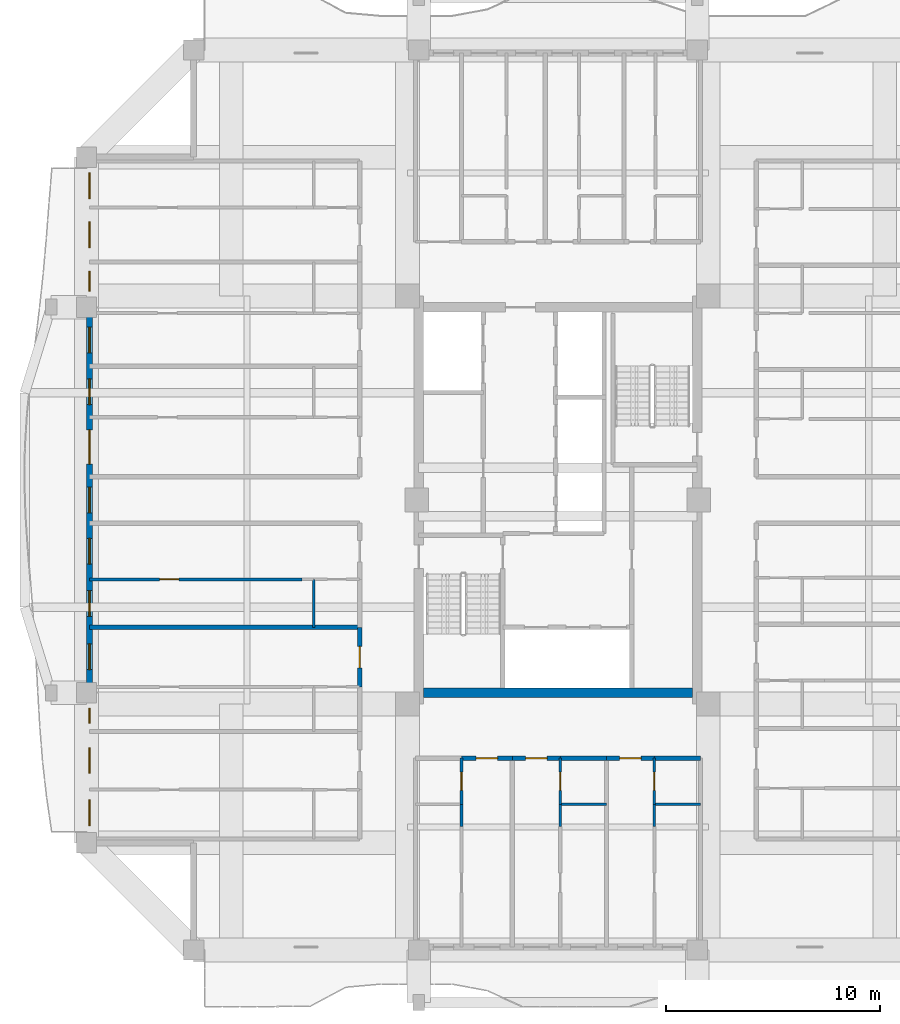
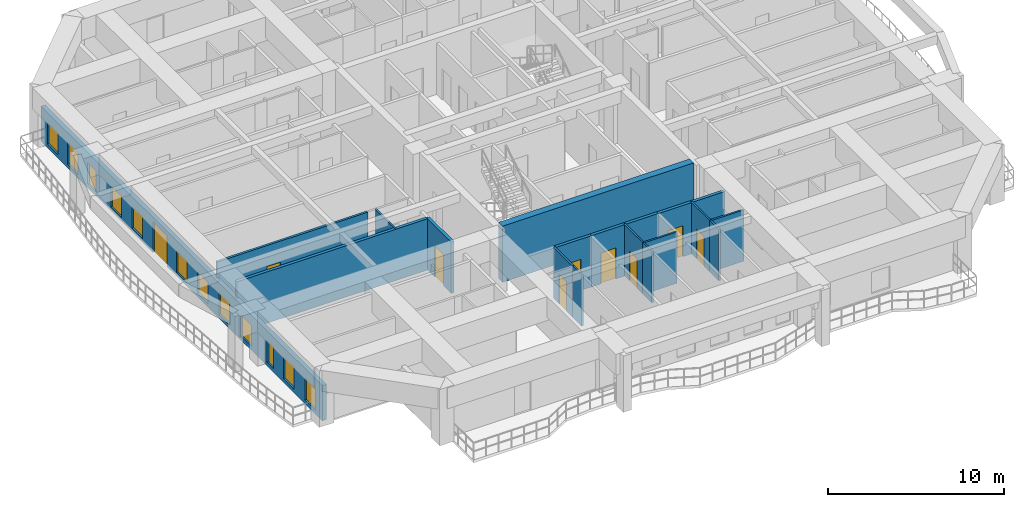
# One storey, part 3 of 15: 19 walls, 12 windows, 9 doors, 21 openings.
"""IFC4 building model written with IfcOpenShell, lengths in metres."""

from ifc_helpers import new_model, si_unit, direction, frame, frame_2d, origin, place, context, subcontext, project, spatial, rectangle, extrude, source, transform, mapped, material, layer, layer_set, type_object, element, fill, save


model = new_model("IFC4")

# Units and contexts
model_context = context("Model", 3, precision=1e-05, world=origin(), true_north=direction((0.0, 1.0)))
body_context = subcontext(model_context, "Body", "Model", "MODEL_VIEW")
ifc_project = project(units=[si_unit("LENGTHUNIT", "METRE"), si_unit("AREAUNIT", "SQUARE_METRE"), si_unit("VOLUMEUNIT", "CUBIC_METRE"), si_unit("PLANEANGLEUNIT", "RADIAN"), si_unit("MASSUNIT", "GRAM", prefix="KILO")], contexts=[model_context])

# Site, building, storey
site_placement = place(None, origin())
site = spatial("IfcSite", under=ifc_project, at=site_placement, CompositionType="ELEMENT")
building_placement = place(site_placement, origin())
building = spatial("IfcBuilding", under=site, at=building_placement, Name="Saelheon Loggia Tower", CompositionType="ELEMENT")
storey_placement = place(building_placement, frame((0.0, 0.0, 169.0)))
storey = spatial("IfcBuildingStorey", under=building, at=storey_placement, Name="L53", CompositionType="ELEMENT", Elevation=169.0)

# Wall
ifc_material_1 = material(Name="Concrete C45/55", Category="concrete")
ifc_layer_1 = layer(ifc_material_1, 0.449951171875)
ifc_layer_set_1 = layer_set([ifc_layer_1], Name="Concrete C45/55")
wall_type_1 = type_object("IfcWallType", Name="Wall_CoreShear_450", PredefinedType="SHEAR", material=ifc_layer_set_1)
wall_1_placement = place(storey_placement, frame((31.72509765625, 18.0, 0.0), z_axis=(0.0, 0.0, 1.0), x_axis=(1.0, 0.0, 0.0)))
element("IfcWall", 1, at=wall_1_placement, inside=storey, type_object=wall_type_1, Name="L53 Core Shear Wall South", PredefinedType="SHEAR", context=body_context, shape_type="SweptSolid", body=[
    extrude(rectangle(XDim=12.5498046875, YDim=0.449951171875, at=frame_2d((6.27490234375, 0.0))), origin(), (0.0, 0.0, 1.0), 3.89990234375),
])

# Wall, openings, windows, door
ifc_material_2 = material(Name="Architectural Precast Concrete C40/50", Category="concrete")
ifc_layer_2 = layer(ifc_material_2, 0.280029296875)
ifc_layer_set_2 = layer_set([ifc_layer_2], Name="Architectural Precast Concrete C40/50")
wall_type_2 = type_object("IfcWallType", Name="Wall_Ext_Loggia_280", PredefinedType="SOLIDWALL", material=ifc_layer_set_2)
wall_2_placement = place(storey_placement, frame((16.139892578125, 11.0, 0.0), z_axis=(0.0, 0.0, 1.0), x_axis=(0.0, 1.0, 0.0)))
wall_2 = element("IfcWall", 2, at=wall_2_placement, inside=storey, type_object=wall_type_2, Name="L53 West Loggia Inner Wall", PredefinedType="SOLIDWALL", context=body_context, shape_type="SweptSolid", body=[
    extrude(rectangle(XDim=32.0, YDim=0.280029296875, at=frame_2d((16.0, 0.0))), origin(), (0.0, 0.0, 1.0), 2.43994140625),
])
opening_1_placement = place(wall_2_placement, frame((0.80029296875, 0.0, 0.25)))
opening_1 = element("IfcOpeningElement", 3, at=opening_1_placement, cuts=wall_2, Name="Opening WN-03", PredefinedType="OPENING", context=body_context, shape_type="SweptSolid", body=[
    extrude(rectangle(XDim=1.199951171875, YDim=1.5, at=frame_2d((0.60009765625, 0.75))), frame((0.0, 0.152099609375, 0.0), z_axis=(0.0, -1.0, 0.0), x_axis=(1.0, 0.0, 0.0)), (0.0, 0.0, 1.0), 0.303955078125),
])
opening_2_placement = place(wall_2_placement, frame((3.238525390625, 0.0, 0.25)))
opening_2 = element("IfcOpeningElement", 4, at=opening_2_placement, cuts=wall_2, Name="Opening WN-03", PredefinedType="OPENING", context=body_context, shape_type="SweptSolid", body=[
    extrude(rectangle(XDim=1.199951171875, YDim=1.5, at=frame_2d((0.60009765625, 0.75))), frame((0.0, 0.152099609375, 0.0), z_axis=(0.0, -1.0, 0.0), x_axis=(1.0, 0.0, 0.0)), (0.0, 0.0, 1.0), 0.303955078125),
])
opening_3_placement = place(wall_2_placement, frame((5.58837890625, 0.0, 0.25)))
opening_3 = element("IfcOpeningElement", 5, at=opening_3_placement, cuts=wall_2, Name="Opening WN-06", PredefinedType="OPENING", context=body_context, shape_type="SweptSolid", body=[
    extrude(rectangle(XDim=0.699951171875, YDim=1.5, at=frame_2d((0.35009765625, 0.75))), frame((0.0, 0.152099609375, 0.0), z_axis=(0.0, -1.0, 0.0), x_axis=(1.0, 0.0, 0.0)), (0.0, 0.0, 1.0), 0.303955078125),
])
opening_4_placement = place(wall_2_placement, frame((8.08544921875, 0.0, 0.25)))
opening_4 = element("IfcOpeningElement", 6, at=opening_4_placement, cuts=wall_2, Name="Opening WN-03", PredefinedType="OPENING", context=body_context, shape_type="SweptSolid", body=[
    extrude(rectangle(XDim=1.199951171875, YDim=1.5, at=frame_2d((0.60009765625, 0.75))), frame((0.0, 0.152099609375, 0.0), z_axis=(0.0, -1.0, 0.0), x_axis=(1.0, 0.0, 0.0)), (0.0, 0.0, 1.0), 0.303955078125),
])
opening_5_placement = place(wall_2_placement, frame((10.57470703125, 0.0, 0.25)))
opening_5 = element("IfcOpeningElement", 7, at=opening_5_placement, cuts=wall_2, Name="Opening WN-03", PredefinedType="OPENING", context=body_context, shape_type="SweptSolid", body=[
    extrude(rectangle(XDim=1.199951171875, YDim=1.5, at=frame_2d((0.60009765625, 0.75))), frame((0.0, 0.152099609375, 0.0), z_axis=(0.0, -1.0, 0.0), x_axis=(1.0, 0.0, 0.0)), (0.0, 0.0, 1.0), 0.303955078125),
])
opening_6_placement = place(wall_2_placement, frame((13.006591796875, 0.0, 0.25)))
opening_6 = element("IfcOpeningElement", 8, at=opening_6_placement, cuts=wall_2, Name="Opening WN-03", PredefinedType="OPENING", context=body_context, shape_type="SweptSolid", body=[
    extrude(rectangle(XDim=1.199951171875, YDim=1.5, at=frame_2d((0.60009765625, 0.75))), frame((0.0, 0.152099609375, 0.0), z_axis=(0.0, -1.0, 0.0), x_axis=(1.0, 0.0, 0.0)), (0.0, 0.0, 1.0), 0.303955078125),
])
opening_7_placement = place(wall_2_placement, frame((15.39990234375, 0.0, 0.25)))
opening_7 = element("IfcOpeningElement", 9, at=opening_7_placement, cuts=wall_2, Name="Opening WN-03", PredefinedType="OPENING", context=body_context, shape_type="SweptSolid", body=[
    extrude(rectangle(XDim=1.199951171875, YDim=1.5, at=frame_2d((0.60009765625, 0.75))), frame((0.0, 0.152099609375, 0.0), z_axis=(0.0, -1.0, 0.0), x_axis=(1.0, 0.0, 0.0)), (0.0, 0.0, 1.0), 0.303955078125),
])
opening_8_placement = place(wall_2_placement, frame((17.6728515625, 0.0, 0.0)))
opening_8 = element("IfcOpeningElement", 10, at=opening_8_placement, cuts=wall_2, Name="Opening DLG-1", PredefinedType="OPENING", context=body_context, shape_type="SweptSolid", body=[
    extrude(rectangle(XDim=1.60009765625, YDim=2.14990234375, at=frame_2d((0.800048828125, 1.074951171875))), frame((0.0, 0.152099609375, 0.0), z_axis=(0.0, -1.0, 0.0), x_axis=(1.0, 0.0, 0.0)), (0.0, 0.0, 1.0), 0.303955078125),
])
opening_9_placement = place(wall_2_placement, frame((20.452392578125, 0.0, 0.25)))
opening_9 = element("IfcOpeningElement", 11, at=opening_9_placement, cuts=wall_2, Name="Opening WN-03", PredefinedType="OPENING", context=body_context, shape_type="SweptSolid", body=[
    extrude(rectangle(XDim=1.199951171875, YDim=1.5, at=frame_2d((0.60009765625, 0.75))), frame((0.0, 0.152099609375, 0.0), z_axis=(0.0, -1.0, 0.0), x_axis=(1.0, 0.0, 0.0)), (0.0, 0.0, 1.0), 0.303955078125),
])
opening_10_placement = place(wall_2_placement, frame((22.862060546875, 0.0, 0.25)))
opening_10 = element("IfcOpeningElement", 12, at=opening_10_placement, cuts=wall_2, Name="Opening WN-03", PredefinedType="OPENING", context=body_context, shape_type="SweptSolid", body=[
    extrude(rectangle(XDim=1.199951171875, YDim=1.5, at=frame_2d((0.60009765625, 0.75))), frame((0.0, 0.152099609375, 0.0), z_axis=(0.0, -1.0, 0.0), x_axis=(1.0, 0.0, 0.0)), (0.0, 0.0, 1.0), 0.303955078125),
])
opening_11_placement = place(wall_2_placement, frame((25.734130859375, 0.0, 0.25)))
opening_11 = element("IfcOpeningElement", 13, at=opening_11_placement, cuts=wall_2, Name="Opening WN-04", PredefinedType="OPENING", context=body_context, shape_type="SweptSolid", body=[
    extrude(rectangle(XDim=0.949951171875, YDim=1.5, at=frame_2d((0.47509765625, 0.75))), frame((0.0, 0.152099609375, 0.0), z_axis=(0.0, -1.0, 0.0), x_axis=(1.0, 0.0, 0.0)), (0.0, 0.0, 1.0), 0.303955078125),
])
opening_12_placement = place(wall_2_placement, frame((27.776611328125, 0.0, 0.25)))
opening_12 = element("IfcOpeningElement", 14, at=opening_12_placement, cuts=wall_2, Name="Opening WN-03", PredefinedType="OPENING", context=body_context, shape_type="SweptSolid", body=[
    extrude(rectangle(XDim=1.199951171875, YDim=1.5, at=frame_2d((0.60009765625, 0.75))), frame((0.0, 0.152099609375, 0.0), z_axis=(0.0, -1.0, 0.0), x_axis=(1.0, 0.0, 0.0)), (0.0, 0.0, 1.0), 0.303955078125),
])
opening_13_placement = place(wall_2_placement, frame((30.067626953125, 0.0, 0.25)))
opening_13 = element("IfcOpeningElement", 15, at=opening_13_placement, cuts=wall_2, Name="Opening WN-03", PredefinedType="OPENING", context=body_context, shape_type="SweptSolid", body=[
    extrude(rectangle(XDim=1.199951171875, YDim=1.5, at=frame_2d((0.60009765625, 0.75))), frame((0.0, 0.152099609375, 0.0), z_axis=(0.0, -1.0, 0.0), x_axis=(1.0, 0.0, 0.0)), (0.0, 0.0, 1.0), 0.303955078125),
])
ifc_material_3 = material(Name="Thermal-Break Aluminium and Triple Low-E Glass", Category="aluminium")
window_type_1 = type_object("IfcWindowType", Name="Win_Slot_700x1500", PartitioningType="SINGLE_PANEL", PredefinedType="WINDOW", material=ifc_material_3)
shared_shape_1 = source(origin(), body_context, "Body", "SweptSolid", [
    extrude(rectangle(XDim=0.699951171875, YDim=1.5, at=frame_2d((0.35009765625, 0.75))), frame((0.0, 0.030029296875, 0.0), z_axis=(0.0, -1.0, 0.0), x_axis=(1.0, 0.0, 0.0)), (0.0, 0.0, 1.0), 0.06005859375),
])
window_1_placement = place(opening_3_placement, origin())
window_1 = element("IfcWindow", 16, at=window_1_placement, inside=storey, type_object=window_type_1, Name="L53 W Dwelling Window 3", OverallHeight=1.5, OverallWidth=0.699951171875, PartitioningType="SINGLE_PANEL", PredefinedType="WINDOW", context=body_context, shape_type="MappedRepresentation", body=[
    mapped(shared_shape_1, transform((0.0, 0.0, 0.0), scale=1.0)),
])
fill(opening_3, window_1)
window_type_2 = type_object("IfcWindowType", Name="Win_Bedroom_1200x1500", PartitioningType="SINGLE_PANEL", PredefinedType="WINDOW", material=ifc_material_3)
shared_shape_2 = source(origin(), body_context, "Body", "SweptSolid", [
    extrude(rectangle(XDim=1.199951171875, YDim=1.5, at=frame_2d((0.60009765625, 0.75))), frame((0.0, 0.030029296875, 0.0), z_axis=(0.0, -1.0, 0.0), x_axis=(1.0, 0.0, 0.0)), (0.0, 0.0, 1.0), 0.06005859375),
])
window_2_placement = place(opening_1_placement, origin())
window_2 = element("IfcWindow", 17, at=window_2_placement, inside=storey, type_object=window_type_2, Name="L53 W Dwelling Window 1", OverallHeight=1.5, OverallWidth=1.199951171875, PartitioningType="SINGLE_PANEL", PredefinedType="WINDOW", context=body_context, shape_type="MappedRepresentation", body=[
    mapped(shared_shape_2, transform((0.0, 0.0, 0.0), scale=1.0)),
])
fill(opening_1, window_2)
window_3_placement = place(opening_2_placement, origin())
window_3 = element("IfcWindow", 18, at=window_3_placement, inside=storey, type_object=window_type_2, Name="L53 W Dwelling Window 2", OverallHeight=1.5, OverallWidth=1.199951171875, PartitioningType="SINGLE_PANEL", PredefinedType="WINDOW", context=body_context, shape_type="MappedRepresentation", body=[
    mapped(shared_shape_2, transform((0.0, 0.0, 0.0), scale=1.0)),
])
fill(opening_2, window_3)
window_4_placement = place(opening_4_placement, origin())
window_4 = element("IfcWindow", 19, at=window_4_placement, inside=storey, type_object=window_type_2, Name="L53 W Dwelling Window 4", OverallHeight=1.5, OverallWidth=1.199951171875, PartitioningType="SINGLE_PANEL", PredefinedType="WINDOW", context=body_context, shape_type="MappedRepresentation", body=[
    mapped(shared_shape_2, transform((0.0, 0.0, 0.0), scale=1.0)),
])
fill(opening_4, window_4)
window_5_placement = place(opening_5_placement, origin())
window_5 = element("IfcWindow", 20, at=window_5_placement, inside=storey, type_object=window_type_2, Name="L53 W Dwelling Window 5", OverallHeight=1.5, OverallWidth=1.199951171875, PartitioningType="SINGLE_PANEL", PredefinedType="WINDOW", context=body_context, shape_type="MappedRepresentation", body=[
    mapped(shared_shape_2, transform((0.0, 0.0, 0.0), scale=1.0)),
])
fill(opening_5, window_5)
window_6_placement = place(opening_6_placement, origin())
window_6 = element("IfcWindow", 21, at=window_6_placement, inside=storey, type_object=window_type_2, Name="L53 W Dwelling Window 6", OverallHeight=1.5, OverallWidth=1.199951171875, PartitioningType="SINGLE_PANEL", PredefinedType="WINDOW", context=body_context, shape_type="MappedRepresentation", body=[
    mapped(shared_shape_2, transform((0.0, 0.0, 0.0), scale=1.0)),
])
fill(opening_6, window_6)
window_7_placement = place(opening_7_placement, origin())
window_7 = element("IfcWindow", 22, at=window_7_placement, inside=storey, type_object=window_type_2, Name="L53 W Dwelling Window 7", OverallHeight=1.5, OverallWidth=1.199951171875, PartitioningType="SINGLE_PANEL", PredefinedType="WINDOW", context=body_context, shape_type="MappedRepresentation", body=[
    mapped(shared_shape_2, transform((0.0, 0.0, 0.0), scale=1.0)),
])
fill(opening_7, window_7)
window_8_placement = place(opening_9_placement, origin())
window_8 = element("IfcWindow", 23, at=window_8_placement, inside=storey, type_object=window_type_2, Name="L53 W Dwelling Window 9", OverallHeight=1.5, OverallWidth=1.199951171875, PartitioningType="SINGLE_PANEL", PredefinedType="WINDOW", context=body_context, shape_type="MappedRepresentation", body=[
    mapped(shared_shape_2, transform((0.0, 0.0, 0.0), scale=1.0)),
])
fill(opening_9, window_8)
window_9_placement = place(opening_10_placement, origin())
window_9 = element("IfcWindow", 24, at=window_9_placement, inside=storey, type_object=window_type_2, Name="L53 W Dwelling Window 10", OverallHeight=1.5, OverallWidth=1.199951171875, PartitioningType="SINGLE_PANEL", PredefinedType="WINDOW", context=body_context, shape_type="MappedRepresentation", body=[
    mapped(shared_shape_2, transform((0.0, 0.0, 0.0), scale=1.0)),
])
fill(opening_10, window_9)
window_10_placement = place(opening_12_placement, origin())
window_10 = element("IfcWindow", 25, at=window_10_placement, inside=storey, type_object=window_type_2, Name="L53 W Dwelling Window 12", OverallHeight=1.5, OverallWidth=1.199951171875, PartitioningType="SINGLE_PANEL", PredefinedType="WINDOW", context=body_context, shape_type="MappedRepresentation", body=[
    mapped(shared_shape_2, transform((0.0, 0.0, 0.0), scale=1.0)),
])
fill(opening_12, window_10)
window_11_placement = place(opening_13_placement, origin())
window_11 = element("IfcWindow", 26, at=window_11_placement, inside=storey, type_object=window_type_2, Name="L53 W Dwelling Window 13", OverallHeight=1.5, OverallWidth=1.199951171875, PartitioningType="SINGLE_PANEL", PredefinedType="WINDOW", context=body_context, shape_type="MappedRepresentation", body=[
    mapped(shared_shape_2, transform((0.0, 0.0, 0.0), scale=1.0)),
])
fill(opening_13, window_11)
window_type_3 = type_object("IfcWindowType", Name="Win_Narrow_950x1500", PartitioningType="SINGLE_PANEL", PredefinedType="WINDOW", material=ifc_material_3)
shared_shape_3 = source(origin(), body_context, "Body", "SweptSolid", [
    extrude(rectangle(XDim=0.949951171875, YDim=1.5, at=frame_2d((0.47509765625, 0.75))), frame((0.0, 0.030029296875, 0.0), z_axis=(0.0, -1.0, 0.0), x_axis=(1.0, 0.0, 0.0)), (0.0, 0.0, 1.0), 0.06005859375),
])
window_12_placement = place(opening_11_placement, origin())
window_12 = element("IfcWindow", 27, at=window_12_placement, inside=storey, type_object=window_type_3, Name="L53 W Dwelling Window 11", OverallHeight=1.5, OverallWidth=0.949951171875, PartitioningType="SINGLE_PANEL", PredefinedType="WINDOW", context=body_context, shape_type="MappedRepresentation", body=[
    mapped(shared_shape_3, transform((0.0, 0.0, 0.0), scale=1.0)),
])
fill(opening_11, window_12)
ifc_material_4 = material(Name="Thermal-Break Aluminium Sliding Glazed Door", Category="aluminium")
door_type_1 = type_object("IfcDoorType", Name="Door_LoggiaSlide_1600", OperationType="SLIDING_TO_LEFT", PredefinedType="DOOR", material=ifc_material_4)
shared_shape_4 = source(origin(), body_context, "Body", "SweptSolid", [
    extrude(rectangle(XDim=1.60009765625, YDim=2.14990234375, at=frame_2d((0.800048828125, 1.074951171875))), frame((0.0, 0.02490234375, 0.0), z_axis=(0.0, -1.0, 0.0), x_axis=(1.0, 0.0, 0.0)), (0.0, 0.0, 1.0), 0.050048828125),
])
door_1_placement = place(opening_8_placement, origin())
door_1 = element("IfcDoor", 28, at=door_1_placement, inside=storey, type_object=door_type_1, Name="L53 W Loggia Access Door", OperationType="SLIDING_TO_LEFT", OverallHeight=2.14990234375, OverallWidth=1.60009765625, PredefinedType="DOOR", context=body_context, shape_type="MappedRepresentation", body=[
    mapped(shared_shape_4, transform((0.0, 0.0, 0.0), scale=1.0)),
])
fill(opening_8, door_1)

# Wall, opening, door
ifc_material_5 = material(Name="Lightweight Autoclaved Aerated Concrete Block and Acoustic Gypsum", Category="concrete")
ifc_layer_3 = layer(ifc_material_5, 0.14990234375)
ifc_layer_set_3 = layer_set([ifc_layer_3], Name="Lightweight Autoclaved Aerated Concrete Block and Acoustic Gypsum")
wall_type_3 = type_object("IfcWallType", Name="Wall_Part_150", PredefinedType="PARTITIONING", material=ifc_layer_set_3)
wall_3_placement = place(storey_placement, frame((26.050048828125, 23.293212890625, 0.0), z_axis=(0.0, 0.0, 1.0), x_axis=(-1.0, 0.0, 0.0)))
wall_3 = element("IfcWall", 29, at=wall_3_placement, inside=storey, type_object=wall_type_3, Name="L53 WS Partition U22", PredefinedType="PARTITIONING", context=body_context, shape_type="SweptSolid", body=[
    extrude(rectangle(XDim=9.900146484375, YDim=0.14990234375, at=frame_2d((4.9501953125, 0.0))), origin(), (0.0, 0.0, 1.0), 3.56005859375),
])
opening_14_placement = place(wall_3_placement, frame((5.742431640625, 0.0, 0.0)))
opening_14 = element("IfcOpeningElement", 30, at=opening_14_placement, cuts=wall_3, Name="Opening D-IN2", PredefinedType="OPENING", context=body_context, shape_type="SweptSolid", body=[
    extrude(rectangle(XDim=0.89990234375, YDim=2.10009765625, at=frame_2d((0.449951171875, 1.050048828125))), frame((0.0, 0.0869140625, 0.0), z_axis=(0.0, -1.0, 0.0), x_axis=(1.0, 0.0, 0.0)), (0.0, 0.0, 1.0), 0.173828125),
])
ifc_material_6 = material(Name="Engineered Oak Flush Door", Category="timber")
door_type_2 = type_object("IfcDoorType", Name="Door_Int_900", OperationType="NOTDEFINED", PredefinedType="DOOR", material=ifc_material_6)
shared_shape_5 = source(origin(), body_context, "Body", "SweptSolid", [
    extrude(rectangle(XDim=0.89990234375, YDim=2.10009765625, at=frame_2d((0.449951171875, 1.050048828125))), frame((0.0, 0.02490234375, 0.0), z_axis=(0.0, -1.0, 0.0), x_axis=(1.0, 0.0, 0.0)), (0.0, 0.0, 1.0), 0.050048828125),
])
door_2_placement = place(opening_14_placement, origin())
door_2 = element("IfcDoor", 31, at=door_2_placement, inside=storey, type_object=door_type_2, Name="Unit U09 Kitchen Door", OperationType="SINGLE_SWING_LEFT", OverallHeight=2.10009765625, OverallWidth=0.89990234375, PredefinedType="DOOR", context=body_context, shape_type="MappedRepresentation", body=[
    mapped(shared_shape_5, transform((0.0, 0.0, 0.0), scale=1.0)),
])
fill(opening_14, door_2)

ifc_material_7 = material(Name="Double Acoustic Stud and Fireboard Partition", Category="gypsum")
ifc_layer_4 = layer(ifc_material_7, 0.199951171875)
ifc_layer_set_4 = layer_set([ifc_layer_4], Name="Double Acoustic Stud and Fireboard Partition")
wall_type_4 = type_object("IfcWallType", Name="Wall_Party_200", PredefinedType="PARTITIONING", material=ifc_layer_set_4)
wall_4_placement = place(storey_placement, frame((33.5, 14.949951171875, 0.0), z_axis=(0.0, 0.0, 1.0), x_axis=(1.0, 0.0, 0.0)))
wall_4 = element("IfcWall", 32, at=wall_4_placement, inside=storey, type_object=wall_type_4, Name="L53 S Partition V04", PredefinedType="PARTITIONING", context=body_context, shape_type="SweptSolid", body=[
    extrude(rectangle(XDim=2.3720703125, YDim=0.199951171875, at=frame_2d((1.18603515625, 0.0))), origin(), (0.0, 0.0, 1.0), 3.56005859375),
])
opening_15_placement = place(wall_4_placement, frame((0.68603515625, 0.0, 0.0)))
opening_15 = element("IfcOpeningElement", 33, at=opening_15_placement, cuts=wall_4, Name="Opening D-FD1", PredefinedType="OPENING", context=body_context, shape_type="SweptSolid", body=[
    extrude(rectangle(XDim=1.0, YDim=2.14990234375, at=frame_2d((0.5, 1.074951171875))), frame((0.0, 0.112060546875, 0.0), z_axis=(0.0, -1.0, 0.0), x_axis=(1.0, 0.0, 0.0)), (0.0, 0.0, 1.0), 0.223876953125),
])
ifc_material_8 = material(Name="Fire-Rated Engineered Timber Entrance Door", Category="wood")
door_type_3 = type_object("IfcDoorType", Name="Door_Flat_FD30S", OperationType="NOTDEFINED", PredefinedType="DOOR", material=ifc_material_8)
shared_shape_6 = source(origin(), body_context, "Body", "SweptSolid", [
    extrude(rectangle(XDim=1.0, YDim=2.14990234375, at=frame_2d((0.5, 1.074951171875))), frame((0.0, 0.02490234375, 0.0), z_axis=(0.0, -1.0, 0.0), x_axis=(1.0, 0.0, 0.0)), (0.0, 0.0, 1.0), 0.050048828125),
])
door_3_placement = place(opening_15_placement, origin())
door_3 = element("IfcDoor", 34, at=door_3_placement, inside=storey, type_object=door_type_3, Name="Unit U01 Entrance Door", OperationType="SINGLE_SWING_RIGHT", OverallHeight=2.14990234375, OverallWidth=1.0, PredefinedType="DOOR", context=body_context, shape_type="MappedRepresentation", body=[
    mapped(shared_shape_6, transform((0.0, 0.0, 0.0), scale=1.0)),
])
fill(opening_15, door_3)

wall_5_placement = place(storey_placement, frame((35.8720703125, 14.949951171875, 0.0), z_axis=(0.0, 0.0, 1.0), x_axis=(1.0, 0.0, 0.0)))
wall_5 = element("IfcWall", 35, at=wall_5_placement, inside=storey, type_object=wall_type_4, Name="L53 S Partition V10", PredefinedType="PARTITIONING", context=body_context, shape_type="SweptSolid", body=[
    extrude(rectangle(XDim=2.239013671875, YDim=0.199951171875, at=frame_2d((1.11962890625, 0.0))), origin(), (0.0, 0.0, 1.0), 3.56005859375),
])
opening_16_placement = place(wall_5_placement, frame((0.619384765625, 0.0, 0.0)))
opening_16 = element("IfcOpeningElement", 36, at=opening_16_placement, cuts=wall_5, Name="Opening D-FD1", PredefinedType="OPENING", context=body_context, shape_type="SweptSolid", body=[
    extrude(rectangle(XDim=1.0, YDim=2.14990234375, at=frame_2d((0.5, 1.074951171875))), frame((0.0, 0.112060546875, 0.0), z_axis=(0.0, -1.0, 0.0), x_axis=(1.0, 0.0, 0.0)), (0.0, 0.0, 1.0), 0.223876953125),
])
door_4_placement = place(opening_16_placement, origin())
door_4 = element("IfcDoor", 37, at=door_4_placement, inside=storey, type_object=door_type_3, Name="Unit U02 Entrance Door", OperationType="SINGLE_SWING_LEFT", OverallHeight=2.14990234375, OverallWidth=1.0, PredefinedType="DOOR", context=body_context, shape_type="MappedRepresentation", body=[
    mapped(shared_shape_6, transform((0.0, 0.0, 0.0), scale=1.0)),
])
fill(opening_16, door_4)

# Wall
wall_6_placement = place(storey_placement, frame((38.111083984375, 14.949951171875, 0.0), z_axis=(0.0, 0.0, 1.0), x_axis=(1.0, 0.0, 0.0)))
element("IfcWall", 38, at=wall_6_placement, inside=storey, type_object=wall_type_4, Name="L53 S Partition V11", PredefinedType="PARTITIONING", context=body_context, shape_type="SweptSolid", body=[
    extrude(rectangle(XDim=2.14990234375, YDim=0.199951171875, at=frame_2d((1.074951171875, 0.0))), origin(), (0.0, 0.0, 1.0), 3.56005859375),
])

# Wall, opening, door
wall_7_placement = place(storey_placement, frame((40.260986328125, 14.949951171875, 0.0), z_axis=(0.0, 0.0, 1.0), x_axis=(1.0, 0.0, 0.0)))
wall_7 = element("IfcWall", 39, at=wall_7_placement, inside=storey, type_object=wall_type_4, Name="L53 S Partition V17", PredefinedType="PARTITIONING", context=body_context, shape_type="SweptSolid", body=[
    extrude(rectangle(XDim=2.239013671875, YDim=0.199951171875, at=frame_2d((1.11962890625, 0.0))), origin(), (0.0, 0.0, 1.0), 3.56005859375),
])
opening_17_placement = place(wall_7_placement, frame((0.619384765625, 0.0, 0.0)))
opening_17 = element("IfcOpeningElement", 40, at=opening_17_placement, cuts=wall_7, Name="Opening D-FD1", PredefinedType="OPENING", context=body_context, shape_type="SweptSolid", body=[
    extrude(rectangle(XDim=1.0, YDim=2.14990234375, at=frame_2d((0.5, 1.074951171875))), frame((0.0, 0.112060546875, 0.0), z_axis=(0.0, -1.0, 0.0), x_axis=(1.0, 0.0, 0.0)), (0.0, 0.0, 1.0), 0.223876953125),
])
door_5_placement = place(opening_17_placement, origin())
door_5 = element("IfcDoor", 41, at=door_5_placement, inside=storey, type_object=door_type_3, Name="Unit U03 Entrance Door", OperationType="SINGLE_SWING_RIGHT", OverallHeight=2.14990234375, OverallWidth=1.0, PredefinedType="DOOR", context=body_context, shape_type="MappedRepresentation", body=[
    mapped(shared_shape_6, transform((0.0, 0.0, 0.0), scale=1.0)),
])
fill(opening_17, door_5)

# Wall
wall_8_placement = place(storey_placement, frame((42.5, 14.949951171875, 0.0), z_axis=(0.0, 0.0, 1.0), x_axis=(1.0, 0.0, 0.0)))
element("IfcWall", 42, at=wall_8_placement, inside=storey, type_object=wall_type_4, Name="L53 S Partition V18", PredefinedType="PARTITIONING", context=body_context, shape_type="SweptSolid", body=[
    extrude(rectangle(XDim=2.14990234375, YDim=0.199951171875, at=frame_2d((1.074951171875, 0.0))), origin(), (0.0, 0.0, 1.0), 3.56005859375),
])

# Wall, opening, door
wall_9_placement = place(storey_placement, frame((28.75, 18.280029296875, 0.0), z_axis=(0.0, 0.0, 1.0), x_axis=(0.0, 1.0, 0.0)))
wall_9 = element("IfcWall", 43, at=wall_9_placement, inside=storey, type_object=wall_type_4, Name="L53 WS Partition V11", PredefinedType="PARTITIONING", context=body_context, shape_type="SweptSolid", body=[
    extrude(rectangle(XDim=2.77587890625, YDim=0.199951171875, at=frame_2d((1.387939453125, 0.0))), origin(), (0.0, 0.0, 1.0), 3.56005859375),
])
opening_18_placement = place(wall_9_placement, frame((0.887939453125, 0.0, 0.0)))
opening_18 = element("IfcOpeningElement", 44, at=opening_18_placement, cuts=wall_9, Name="Opening D-FD1", PredefinedType="OPENING", context=body_context, shape_type="SweptSolid", body=[
    extrude(rectangle(XDim=1.0, YDim=2.14990234375, at=frame_2d((0.5, 1.074951171875))), frame((0.0, 0.112060546875, 0.0), z_axis=(0.0, -1.0, 0.0), x_axis=(1.0, 0.0, 0.0)), (0.0, 0.0, 1.0), 0.223876953125),
])
door_6_placement = place(opening_18_placement, origin())
door_6 = element("IfcDoor", 45, at=door_6_placement, inside=storey, type_object=door_type_3, Name="Unit U08 Entrance Door", OperationType="SINGLE_SWING_RIGHT", OverallHeight=2.14990234375, OverallWidth=1.0, PredefinedType="DOOR", context=body_context, shape_type="MappedRepresentation", body=[
    mapped(shared_shape_6, transform((0.0, 0.0, 0.0), scale=1.0)),
])
fill(opening_18, door_6)

# Wall
wall_10_placement = place(storey_placement, frame((28.75, 21.055908203125, 0.0), z_axis=(0.0, 0.0, 1.0), x_axis=(-1.0, 0.0, 0.0)))
element("IfcWall", 46, at=wall_10_placement, inside=storey, type_object=wall_type_4, Name="L53 WS Partition U16", PredefinedType="PARTITIONING", context=body_context, shape_type="SweptSolid", body=[
    extrude(rectangle(XDim=12.60009765625, YDim=0.199951171875, at=frame_2d((6.300048828125, 0.0))), origin(), (0.0, 0.0, 1.0), 3.56005859375),
])

# Wall, opening, door
ifc_material_9 = material(Name="Moisture-Resistant Cement Board Partition", Category="gypsum")
ifc_layer_5 = layer(ifc_material_9, 0.1201171875)
ifc_layer_set_5 = layer_set([ifc_layer_5], Name="Moisture-Resistant Cement Board Partition")
wall_type_5 = type_object("IfcWallType", Name="Wall_WetPart_120", PredefinedType="PARTITIONING", material=ifc_layer_set_5)
wall_11_placement = place(storey_placement, frame((33.5, 14.949951171875, 0.0), z_axis=(0.0, 0.0, 1.0), x_axis=(0.0, -1.0, 0.0)))
wall_11 = element("IfcWall", 47, at=wall_11_placement, inside=storey, type_object=wall_type_5, Name="L53 S Partition U05", PredefinedType="PARTITIONING", context=body_context, shape_type="SweptSolid", body=[
    extrude(rectangle(XDim=2.14990234375, YDim=0.1201171875, at=frame_2d((1.074951171875, 0.0))), origin(), (0.0, 0.0, 1.0), 3.56005859375),
])
opening_19_placement = place(wall_11_placement, frame((0.64990234375, 0.0, 0.0)))
opening_19 = element("IfcOpeningElement", 48, at=opening_19_placement, cuts=wall_11, Name="Opening D-BT1", PredefinedType="OPENING", context=body_context, shape_type="SweptSolid", body=[
    extrude(rectangle(XDim=0.85009765625, YDim=2.050048828125, at=frame_2d((0.425048828125, 1.02490234375))), frame((0.0, 0.072021484375, 0.0), z_axis=(0.0, -1.0, 0.0), x_axis=(1.0, 0.0, 0.0)), (0.0, 0.0, 1.0), 0.14404296875),
])
ifc_material_10 = material(Name="Moisture-Resistant Laminate Timber Door", Category="wood")
door_type_4 = type_object("IfcDoorType", Name="Door_Bath_850", OperationType="NOTDEFINED", PredefinedType="DOOR", material=ifc_material_10)
shared_shape_7 = source(origin(), body_context, "Body", "SweptSolid", [
    extrude(rectangle(XDim=0.85009765625, YDim=2.050048828125, at=frame_2d((0.425048828125, 1.02490234375))), frame((0.0, 0.02490234375, 0.0), z_axis=(0.0, -1.0, 0.0), x_axis=(1.0, 0.0, 0.0)), (0.0, 0.0, 1.0), 0.050048828125),
])
door_7_placement = place(opening_19_placement, origin())
door_7 = element("IfcDoor", 49, at=door_7_placement, inside=storey, type_object=door_type_4, Name="Unit U01 Bathroom Door", OperationType="SINGLE_SWING_LEFT", OverallHeight=2.050048828125, OverallWidth=0.85009765625, PredefinedType="DOOR", context=body_context, shape_type="MappedRepresentation", body=[
    mapped(shared_shape_7, transform((0.0, 0.0, 0.0), scale=1.0)),
])
fill(opening_19, door_7)

# Wall
wall_12_placement = place(storey_placement, frame((33.5, 12.800048828125, 0.0), z_axis=(0.0, 0.0, 1.0), x_axis=(0.0, -1.0, 0.0)))
element("IfcWall", 50, at=wall_12_placement, inside=storey, type_object=wall_type_5, Name="L53 S Partition U06", PredefinedType="PARTITIONING", context=body_context, shape_type="SweptSolid", body=[
    extrude(rectangle(XDim=1.030029296875, YDim=0.1201171875, at=frame_2d((0.51513671875, 0.0))), origin(), (0.0, 0.0, 1.0), 3.56005859375),
])

# Wall, opening, door
wall_13_placement = place(storey_placement, frame((38.111083984375, 14.949951171875, 0.0), z_axis=(0.0, 0.0, 1.0), x_axis=(0.0, -1.0, 0.0)))
wall_13 = element("IfcWall", 51, at=wall_13_placement, inside=storey, type_object=wall_type_5, Name="L53 S Partition U12", PredefinedType="PARTITIONING", context=body_context, shape_type="SweptSolid", body=[
    extrude(rectangle(XDim=2.14990234375, YDim=0.1201171875, at=frame_2d((1.074951171875, 0.0))), origin(), (0.0, 0.0, 1.0), 3.56005859375),
])
opening_20_placement = place(wall_13_placement, frame((0.64990234375, 0.0, 0.0)))
opening_20 = element("IfcOpeningElement", 52, at=opening_20_placement, cuts=wall_13, Name="Opening D-BT1", PredefinedType="OPENING", context=body_context, shape_type="SweptSolid", body=[
    extrude(rectangle(XDim=0.85009765625, YDim=2.050048828125, at=frame_2d((0.425048828125, 1.02490234375))), frame((0.0, 0.072021484375, 0.0), z_axis=(0.0, -1.0, 0.0), x_axis=(1.0, 0.0, 0.0)), (0.0, 0.0, 1.0), 0.14404296875),
])
door_8_placement = place(opening_20_placement, origin())
door_8 = element("IfcDoor", 53, at=door_8_placement, inside=storey, type_object=door_type_4, Name="Unit U02 Bathroom Door", OperationType="SINGLE_SWING_RIGHT", OverallHeight=2.050048828125, OverallWidth=0.85009765625, PredefinedType="DOOR", context=body_context, shape_type="MappedRepresentation", body=[
    mapped(shared_shape_7, transform((0.0, 0.0, 0.0), scale=1.0)),
])
fill(opening_20, door_8)

# Walls
wall_14_placement = place(storey_placement, frame((38.111083984375, 12.800048828125, 0.0), z_axis=(0.0, 0.0, 1.0), x_axis=(0.0, -1.0, 0.0)))
element("IfcWall", 54, at=wall_14_placement, inside=storey, type_object=wall_type_5, Name="L53 S Partition U13", PredefinedType="PARTITIONING", context=body_context, shape_type="SweptSolid", body=[
    extrude(rectangle(XDim=1.030029296875, YDim=0.1201171875, at=frame_2d((0.51513671875, 0.0))), origin(), (0.0, 0.0, 1.0), 3.56005859375),
])
wall_15_placement = place(storey_placement, frame((38.111083984375, 12.800048828125, 0.0), z_axis=(0.0, 0.0, 1.0), x_axis=(1.0, 0.0, 0.0)))
element("IfcWall", 55, at=wall_15_placement, inside=storey, type_object=wall_type_5, Name="L53 S Partition V14", PredefinedType="PARTITIONING", context=body_context, shape_type="SweptSolid", body=[
    extrude(rectangle(XDim=2.14990234375, YDim=0.1201171875, at=frame_2d((1.074951171875, 0.0))), origin(), (0.0, 0.0, 1.0), 3.56005859375),
])

# Wall, opening, door
wall_16_placement = place(storey_placement, frame((42.5, 14.949951171875, 0.0), z_axis=(0.0, 0.0, 1.0), x_axis=(0.0, -1.0, 0.0)))
wall_16 = element("IfcWall", 56, at=wall_16_placement, inside=storey, type_object=wall_type_5, Name="L53 S Partition U19", PredefinedType="PARTITIONING", context=body_context, shape_type="SweptSolid", body=[
    extrude(rectangle(XDim=2.14990234375, YDim=0.1201171875, at=frame_2d((1.074951171875, 0.0))), origin(), (0.0, 0.0, 1.0), 3.56005859375),
])
opening_21_placement = place(wall_16_placement, frame((0.64990234375, 0.0, 0.0)))
opening_21 = element("IfcOpeningElement", 57, at=opening_21_placement, cuts=wall_16, Name="Opening D-BT1", PredefinedType="OPENING", context=body_context, shape_type="SweptSolid", body=[
    extrude(rectangle(XDim=0.85009765625, YDim=2.050048828125, at=frame_2d((0.425048828125, 1.02490234375))), frame((0.0, 0.072021484375, 0.0), z_axis=(0.0, -1.0, 0.0), x_axis=(1.0, 0.0, 0.0)), (0.0, 0.0, 1.0), 0.14404296875),
])
door_9_placement = place(opening_21_placement, origin())
door_9 = element("IfcDoor", 58, at=door_9_placement, inside=storey, type_object=door_type_4, Name="Unit U03 Bathroom Door", OperationType="SINGLE_SWING_LEFT", OverallHeight=2.050048828125, OverallWidth=0.85009765625, PredefinedType="DOOR", context=body_context, shape_type="MappedRepresentation", body=[
    mapped(shared_shape_7, transform((0.0, 0.0, 0.0), scale=1.0)),
])
fill(opening_21, door_9)

# Walls
wall_17_placement = place(storey_placement, frame((42.5, 12.800048828125, 0.0), z_axis=(0.0, 0.0, 1.0), x_axis=(0.0, -1.0, 0.0)))
element("IfcWall", 59, at=wall_17_placement, inside=storey, type_object=wall_type_5, Name="L53 S Partition U20", PredefinedType="PARTITIONING", context=body_context, shape_type="SweptSolid", body=[
    extrude(rectangle(XDim=1.030029296875, YDim=0.1201171875, at=frame_2d((0.51513671875, 0.0))), origin(), (0.0, 0.0, 1.0), 3.56005859375),
])
wall_18_placement = place(storey_placement, frame((42.5, 12.800048828125, 0.0), z_axis=(0.0, 0.0, 1.0), x_axis=(1.0, 0.0, 0.0)))
element("IfcWall", 60, at=wall_18_placement, inside=storey, type_object=wall_type_5, Name="L53 S Partition V21", PredefinedType="PARTITIONING", context=body_context, shape_type="SweptSolid", body=[
    extrude(rectangle(XDim=2.14990234375, YDim=0.1201171875, at=frame_2d((1.074951171875, 0.0))), origin(), (0.0, 0.0, 1.0), 3.56005859375),
])
wall_19_placement = place(storey_placement, frame((26.60009765625, 21.055908203125, 0.0), z_axis=(0.0, 0.0, 1.0), x_axis=(0.0, 1.0, 0.0)))
element("IfcWall", 61, at=wall_19_placement, inside=storey, type_object=wall_type_5, Name="L53 WS Partition V21", PredefinedType="PARTITIONING", context=body_context, shape_type="SweptSolid", body=[
    extrude(rectangle(XDim=2.2373046875, YDim=0.1201171875, at=frame_2d((1.11865234375, 0.0))), origin(), (0.0, 0.0, 1.0), 3.56005859375),
])

save(model, "model.ifc")
